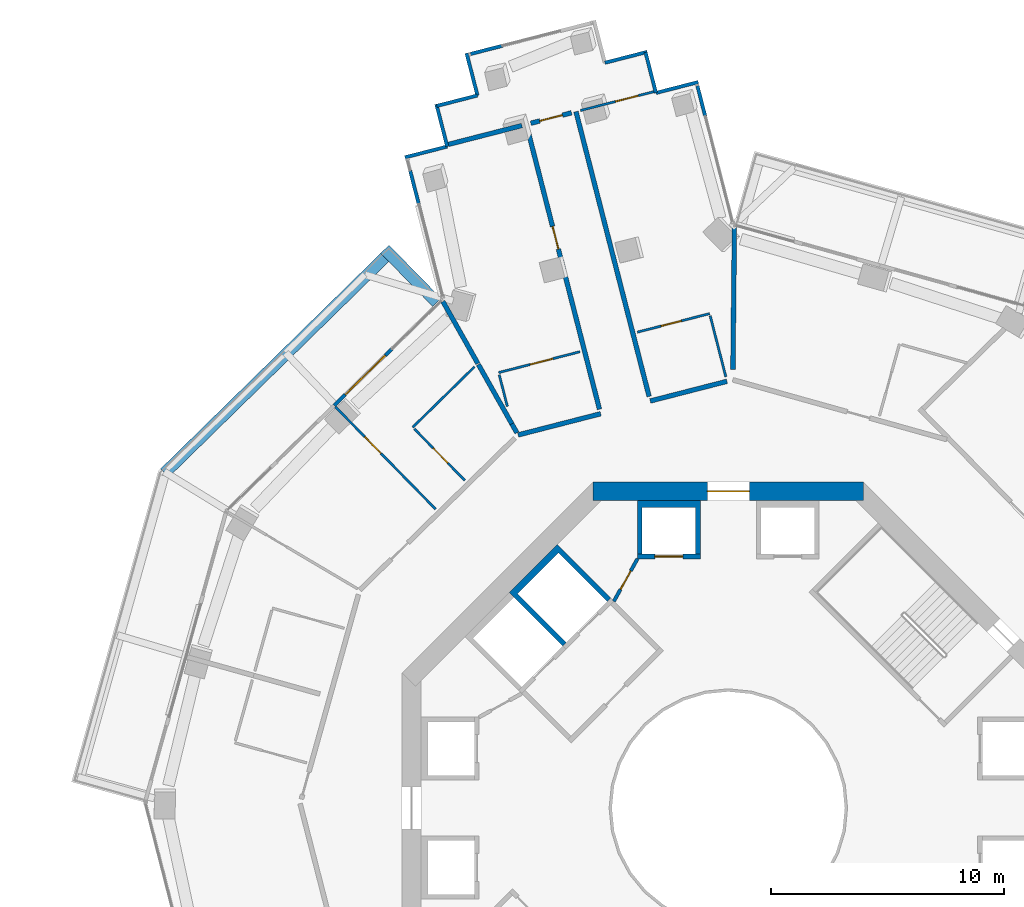
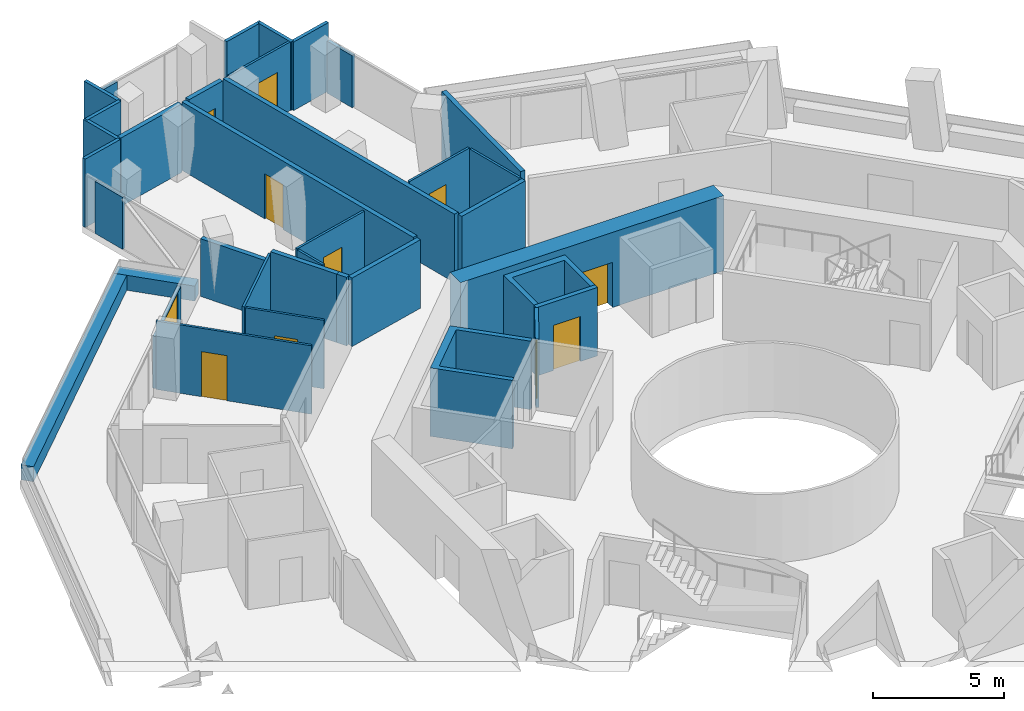
# One storey, part 22 of 26: 36 walls, 11 doors, 11 openings.
"""IFC4 building model written with IfcOpenShell, lengths in metres."""

from ifc_helpers import new_model, si_unit, direction, frame, frame_2d, origin, place, context, subcontext, project, spatial, polyline, rectangle, outline, extrude, material, layer, layer_set, type_object, element, fill, save


model = new_model("IFC4")

# Units and contexts
model_context = context("Model", 3, precision=1e-05, world=origin(), true_north=direction((0.0, 1.0)))
body_context = subcontext(model_context, "Body", "Model", "MODEL_VIEW")
ifc_project = project(units=[si_unit("LENGTHUNIT", "METRE"), si_unit("AREAUNIT", "SQUARE_METRE"), si_unit("VOLUMEUNIT", "CUBIC_METRE"), si_unit("PLANEANGLEUNIT", "RADIAN"), si_unit("MASSUNIT", "GRAM", prefix="KILO")], contexts=[model_context])

# Site, building, storey
site_placement = place(None, origin())
site = spatial("IfcSite", under=ifc_project, at=site_placement, CompositionType="ELEMENT")
building_placement = place(site_placement, origin())
building = spatial("IfcBuilding", under=site, at=building_placement, Name="Verdalira Terraces Hotel", CompositionType="ELEMENT")
storey_placement = place(building_placement, frame((0.0, 0.0, 93.0)))
storey = spatial("IfcBuildingStorey", under=building, at=storey_placement, Name="L21", CompositionType="ELEMENT", Elevation=93.0)

# Walls
ifc_material_1 = material(Name="Concrete C40", Category="concrete")
ifc_layer_1 = layer(ifc_material_1, 0.5)
ifc_layer_set_1 = layer_set([ifc_layer_1], Name="Balcony planter trough with tree")
wall_type_1 = type_object("IfcWallType", Name="Balcony planter trough with tree", PredefinedType="SOLIDWALL", material=ifc_layer_set_1)
wall_1_placement = place(storey_placement, frame((-12.507812, 21.705566, 0.0), z_axis=(0.0, 0.0, 1.0), x_axis=(-0.699665376, 0.714470686, 0.0)))
element("IfcWall", 1, at=wall_1_placement, inside=storey, type_object=wall_type_1, Name="Balcony planter", PredefinedType="SOLIDWALL", context=body_context, shape_type="SweptSolid", body=[
    extrude(rectangle(XDim=3.198975, YDim=0.5, at=frame_2d((1.599609, 0.0))), origin(), (0.0, 0.0, 1.0), 0.699951),
])
wall_2_placement = place(storey_placement, frame((-14.749756, 23.637695, 0.0), z_axis=(0.0, 0.0, 1.0), x_axis=(-0.714471394, -0.699664653, 0.0)))
element("IfcWall", 2, at=wall_2_placement, inside=storey, type_object=wall_type_1, Name="Balcony planter", PredefinedType="SOLIDWALL", context=body_context, shape_type="SweptSolid", body=[
    extrude(rectangle(XDim=13.223877, YDim=0.5, at=frame_2d((6.611816, 0.0))), origin(), (0.0, 0.0, 1.0), 0.699951),
])

# Wall, opening, door
ifc_material_2 = material(Name="Moisture-resistant gypsum board partition")
ifc_layer_2 = layer(ifc_material_2, 0.10009765625)
ifc_layer_set_2 = layer_set([ifc_layer_2], Name="Bathroom partition 100 mm")
wall_type_2 = type_object("IfcWallType", Name="Bathroom partition 100 mm", PredefinedType="PARTITIONING", material=ifc_layer_set_2)
wall_3_placement = place(storey_placement, frame((-16.867676, 17.224609, 0.0), z_axis=(0.0, 0.0, 1.0), x_axis=(0.699684325, -0.71445213, 0.0)))
wall_3 = element("IfcWall", 3, at=wall_3_placement, inside=storey, type_object=wall_type_2, Name="Bathroom partition", PredefinedType="PARTITIONING", context=body_context, shape_type="SweptSolid", body=[
    extrude(rectangle(XDim=6.149902, YDim=0.100098, at=frame_2d((3.074951, 0.0))), origin(), (0.0, 0.0, 1.0), 3.189941),
])
opening_1_placement = place(wall_3_placement, frame((1.800049, 0.0, 0.0)))
opening_1 = element("IfcOpeningElement", 4, at=opening_1_placement, cuts=wall_3, Name="Opening L21-107", PredefinedType="OPENING", context=body_context, shape_type="SweptSolid", body=[
    extrude(rectangle(XDim=1.0, YDim=2.100098, at=frame_2d((0.5, 1.050049))), frame((0.0, 0.060059, 0.0), z_axis=(0.0, -1.0, 0.0), x_axis=(1.0, 0.0, 0.0)), (0.0, 0.0, 1.0), 0.120117),
])
ifc_material_3 = material(Name="Timber door", Category="wood")
door_type_1 = type_object("IfcDoorType", Name="Suite internal door 1000 x 2100", OperationType="NOTDEFINED", PredefinedType="DOOR", material=ifc_material_3)
door_1_placement = place(opening_1_placement, origin())
door_1 = element("IfcDoor", 5, at=door_1_placement, inside=storey, type_object=door_type_1, Name="Suite internal door 2103", OperationType="SINGLE_SWING_LEFT", OverallHeight=2.10009765625, OverallWidth=1.0, PredefinedType="DOOR", context=body_context, shape_type="SweptSolid", body=[
    extrude(rectangle(XDim=1.0, YDim=2.100098, at=frame_2d((0.5, 1.050049))), frame((0.0, 0.024902, 0.0), z_axis=(0.0, -1.0, 0.0), x_axis=(1.0, 0.0, 0.0)), (0.0, 0.0, 1.0), 0.050049),
])
fill(opening_1, door_1)

wall_4_placement = place(storey_placement, frame((-13.477539, 16.275879, 0.0), z_axis=(0.0, 0.0, 1.0), x_axis=(0.699664998, -0.714471056, 0.0)))
wall_4 = element("IfcWall", 6, at=wall_4_placement, inside=storey, type_object=wall_type_2, Name="Bathroom partition", PredefinedType="PARTITIONING", context=body_context, shape_type="SweptSolid", body=[
    extrude(rectangle(XDim=3.100098, YDim=0.100098, at=frame_2d((1.550049, 0.0))), origin(), (0.0, 0.0, 1.0), 3.189941),
])
opening_2_placement = place(wall_4_placement, frame((1.149902, 0.0, 0.0)))
opening_2 = element("IfcOpeningElement", 7, at=opening_2_placement, cuts=wall_4, Name="Opening L21-109", PredefinedType="OPENING", context=body_context, shape_type="SweptSolid", body=[
    extrude(rectangle(XDim=0.899902, YDim=2.100098, at=frame_2d((0.449951, 1.050049))), frame((0.0, 0.060059, 0.0), z_axis=(0.0, -1.0, 0.0), x_axis=(1.0, 0.0, 0.0)), (0.0, 0.0, 1.0), 0.120117),
])
ifc_material_4 = material(Name="Timber door", Category="wood")
door_type_2 = type_object("IfcDoorType", Name="Bathroom door 900 x 2100", OperationType="NOTDEFINED", PredefinedType="DOOR", material=ifc_material_4)
door_2_placement = place(opening_2_placement, origin())
door_2 = element("IfcDoor", 8, at=door_2_placement, inside=storey, type_object=door_type_2, Name="Bathroom door 2103", OperationType="SINGLE_SWING_LEFT", OverallHeight=2.10009765625, OverallWidth=0.89990234375, PredefinedType="DOOR", context=body_context, shape_type="SweptSolid", body=[
    extrude(rectangle(XDim=0.899902, YDim=2.100098, at=frame_2d((0.449951, 1.050049))), frame((0.0, 0.024902, 0.0), z_axis=(0.0, -1.0, 0.0), x_axis=(1.0, 0.0, 0.0)), (0.0, 0.0, 1.0), 0.050049),
])
fill(opening_2, door_2)

# Walls
wall_5_placement = place(storey_placement, frame((-10.900879, 18.938721, 0.0), z_axis=(0.0, 0.0, 1.0), x_axis=(-0.714515918, -0.699619184, 0.0)))
element("IfcWall", 9, at=wall_5_placement, inside=storey, type_object=wall_type_2, Name="Bathroom partition", PredefinedType="PARTITIONING", context=body_context, shape_type="SweptSolid", body=[
    extrude(rectangle(XDim=3.703857, YDim=0.100098, at=frame_2d((1.852051, 0.0))), origin(), (0.0, 0.0, 1.0), 3.189941),
])
wall_6_placement = place(storey_placement, frame((-9.486084, 17.242432, 0.0), z_axis=(0.0, 0.0, 1.0), x_axis=(-0.248610566, 0.968603524, 0.0)))
element("IfcWall", 10, at=wall_6_placement, inside=storey, type_object=wall_type_2, Name="Bathroom partition", PredefinedType="PARTITIONING", context=body_context, shape_type="SweptSolid", body=[
    extrude(rectangle(XDim=1.398438, YDim=0.100098, at=frame_2d((0.699219, 0.0))), origin(), (0.0, 0.0, 1.0), 3.189941),
])

# Wall, opening, door
wall_7_placement = place(storey_placement, frame((-6.371826, 19.589111, 0.0), z_axis=(0.0, 0.0, 1.0), x_axis=(-0.968583069, -0.248690247, 0.0)))
wall_7 = element("IfcWall", 11, at=wall_7_placement, inside=storey, type_object=wall_type_2, Name="Bathroom partition", PredefinedType="PARTITIONING", context=body_context, shape_type="SweptSolid", body=[
    extrude(rectangle(XDim=3.599854, YDim=0.100098, at=frame_2d((1.799805, 0.0))), origin(), (0.0, 0.0, 1.0), 3.189941),
])
opening_3_placement = place(wall_7_placement, frame((1.199951, 0.0, 0.0)))
opening_3 = element("IfcOpeningElement", 12, at=opening_3_placement, cuts=wall_7, Name="Opening L21-105", PredefinedType="OPENING", context=body_context, shape_type="SweptSolid", body=[
    extrude(rectangle(XDim=1.0, YDim=2.100098, at=frame_2d((0.5, 1.050049))), frame((0.0, 0.060059, 0.0), z_axis=(0.0, -1.0, 0.0), x_axis=(1.0, 0.0, 0.0)), (0.0, 0.0, 1.0), 0.120117),
])
ifc_material_5 = material(Name="Timber door", Category="wood")
door_type_3 = type_object("IfcDoorType", Name="Bathroom door 1000 x 2100", OperationType="NOTDEFINED", PredefinedType="DOOR", material=ifc_material_5)
door_3_placement = place(opening_3_placement, origin())
door_3 = element("IfcDoor", 13, at=door_3_placement, inside=storey, type_object=door_type_3, Name="Bathroom door 2102", OperationType="SINGLE_SWING_RIGHT", OverallHeight=2.10009765625, OverallWidth=1.0, PredefinedType="DOOR", context=body_context, shape_type="SweptSolid", body=[
    extrude(rectangle(XDim=1.0, YDim=2.100098, at=frame_2d((0.5, 1.050049))), frame((0.0, 0.024902, 0.0), z_axis=(0.0, -1.0, 0.0), x_axis=(1.0, 0.0, 0.0)), (0.0, 0.0, 1.0), 0.050049),
])
fill(opening_3, door_3)

wall_8_placement = place(storey_placement, frame((-3.196533, 30.753662, 0.0), z_axis=(0.0, 0.0, 1.0), x_axis=(-0.968577204, -0.248713089, 0.0)))
wall_8 = element("IfcWall", 14, at=wall_8_placement, inside=storey, type_object=wall_type_2, Name="Bathroom partition", PredefinedType="PARTITIONING", context=body_context, shape_type="SweptSolid", body=[
    extrude(rectangle(XDim=3.252197, YDim=0.100098, at=frame_2d((1.625977, 0.0))), origin(), (0.0, 0.0, 1.0), 3.189941),
])
opening_4_placement = place(wall_8_placement, frame((0.699951, 0.0, 0.0)))
opening_4 = element("IfcOpeningElement", 15, at=opening_4_placement, cuts=wall_8, Name="Opening L21-102", PredefinedType="OPENING", context=body_context, shape_type="SweptSolid", body=[
    extrude(rectangle(XDim=1.0, YDim=2.100098, at=frame_2d((0.5, 1.050049))), frame((0.0, 0.060059, 0.0), z_axis=(0.0, -1.0, 0.0), x_axis=(1.0, 0.0, 0.0)), (0.0, 0.0, 1.0), 0.120117),
])
door_4_placement = place(opening_4_placement, origin())
door_4 = element("IfcDoor", 16, at=door_4_placement, inside=storey, type_object=door_type_1, Name="Suite internal door 2101", OperationType="SINGLE_SWING_LEFT", OverallHeight=2.10009765625, OverallWidth=1.0, PredefinedType="DOOR", context=body_context, shape_type="SweptSolid", body=[
    extrude(rectangle(XDim=1.0, YDim=2.100098, at=frame_2d((0.5, 1.050049))), frame((0.0, 0.024902, 0.0), z_axis=(0.0, -1.0, 0.0), x_axis=(1.0, 0.0, 0.0)), (0.0, 0.0, 1.0), 0.050049),
])
fill(opening_4, door_4)

wall_9_placement = place(storey_placement, frame((-0.803711, 21.225342, 0.0), z_axis=(0.0, 0.0, 1.0), x_axis=(-0.968579095, -0.248705722, 0.0)))
wall_9 = element("IfcWall", 17, at=wall_9_placement, inside=storey, type_object=wall_type_2, Name="Bathroom partition", PredefinedType="PARTITIONING", context=body_context, shape_type="SweptSolid", body=[
    extrude(rectangle(XDim=3.200195, YDim=0.100098, at=frame_2d((1.600098, 0.0))), origin(), (0.0, 0.0, 1.0), 3.189941),
])
opening_5_placement = place(wall_9_placement, frame((1.25, 0.0, 0.0)))
opening_5 = element("IfcOpeningElement", 18, at=opening_5_placement, cuts=wall_9, Name="Opening L21-103", PredefinedType="OPENING", context=body_context, shape_type="SweptSolid", body=[
    extrude(rectangle(XDim=0.899902, YDim=2.100098, at=frame_2d((0.449951, 1.050049))), frame((0.0, 0.060059, 0.0), z_axis=(0.0, -1.0, 0.0), x_axis=(1.0, 0.0, 0.0)), (0.0, 0.0, 1.0), 0.120117),
])
door_5_placement = place(opening_5_placement, origin())
door_5 = element("IfcDoor", 19, at=door_5_placement, inside=storey, type_object=door_type_2, Name="Bathroom door 2101", OperationType="SINGLE_SWING_LEFT", OverallHeight=2.10009765625, OverallWidth=0.89990234375, PredefinedType="DOOR", context=body_context, shape_type="SweptSolid", body=[
    extrude(rectangle(XDim=0.899902, YDim=2.100098, at=frame_2d((0.449951, 1.050049))), frame((0.0, 0.024902, 0.0), z_axis=(0.0, -1.0, 0.0), x_axis=(1.0, 0.0, 0.0)), (0.0, 0.0, 1.0), 0.050049),
])
fill(opening_5, door_5)

# Walls
wall_10_placement = place(storey_placement, frame((-0.107422, 18.513184, 0.0), z_axis=(0.0, 0.0, 1.0), x_axis=(-0.24865815, 0.968591309, 0.0)))
element("IfcWall", 20, at=wall_10_placement, inside=storey, type_object=wall_type_2, Name="Bathroom partition", PredefinedType="PARTITIONING", context=body_context, shape_type="SweptSolid", body=[
    extrude(rectangle(XDim=2.699951, YDim=0.100098, at=frame_2d((1.350098, 0.0))), origin(), (0.0, 0.0, 1.0), 3.189941),
])
ifc_material_6 = material(Name="Concrete C50", Category="concrete")
ifc_layer_3 = layer(ifc_material_6, 0.199951171875)
ifc_layer_set_3 = layer_set([ifc_layer_3], Name="Core RC wall 200 C50")
wall_type_3 = type_object("IfcWallType", Name="Core RC wall 200 C50", PredefinedType="SOLIDWALL", material=ifc_layer_set_3)
wall_11_placement = place(storey_placement, origin())
element("IfcWall", 21, at=wall_11_placement, inside=storey, type_object=wall_type_3, Name="L21 shaft wall N2", PredefinedType="SOLIDWALL", context=body_context, shape_type="SweptSolid", body=[
    extrude(outline(polyline([(-3.899902, 10.899902), (-3.899902, 13.199951), (-1.199951, 13.199951), (-1.199951, 10.899902), (-1.399902, 10.899902), (-1.399902, 12.899902), (-3.699951, 12.899902), (-3.699951, 10.899902), (-3.899902, 10.899902)])), origin(), (0.0, 0.0, 1.0), 3.189941),
])

# Wall, opening, door
wall_12_placement = place(storey_placement, frame((-1.199951, 10.800049, 0.0), z_axis=(0.0, 0.0, 1.0), x_axis=(-1.0, 0.0, 0.0)))
wall_12 = element("IfcWall", 22, at=wall_12_placement, inside=storey, type_object=wall_type_3, Name="L21 shaft front wall N2", PredefinedType="SOLIDWALL", context=body_context, shape_type="SweptSolid", body=[
    extrude(rectangle(XDim=2.699951, YDim=0.199951, at=frame_2d((1.350098, 0.0))), origin(), (0.0, 0.0, 1.0), 3.189941),
])
opening_6_placement = place(wall_12_placement, frame((0.75, 0.0, 0.0)))
opening_6 = element("IfcOpeningElement", 23, at=opening_6_placement, cuts=wall_12, Name="Opening LD-L21-804", PredefinedType="OPENING", context=body_context, shape_type="SweptSolid", body=[
    extrude(rectangle(XDim=1.199951, YDim=2.100098, at=frame_2d((0.600098, 1.050049))), frame((0.0, 0.109863, 0.0), z_axis=(0.0, -1.0, 0.0), x_axis=(1.0, 0.0, 0.0)), (0.0, 0.0, 1.0), 0.219971),
])
ifc_material_7 = material(Name="Stainless steel", Category="steel")
door_type_4 = type_object("IfcDoorType", Name="Landing door 1200 x 2100", OperationType="NOTDEFINED", PredefinedType="DOOR", material=ifc_material_7)
door_6_placement = place(opening_6_placement, origin())
door_6 = element("IfcDoor", 24, at=door_6_placement, inside=storey, type_object=door_type_4, Name="Lift landing door LR4 L21", OperationType="DOUBLE_DOOR_SLIDING", OverallHeight=2.10009765625, OverallWidth=1.199951171875, PredefinedType="DOOR", context=body_context, shape_type="SweptSolid", body=[
    extrude(rectangle(XDim=1.199951, YDim=2.100098, at=frame_2d((0.600098, 1.050049))), frame((0.0, 0.024902, 0.0), z_axis=(0.0, -1.0, 0.0), x_axis=(1.0, 0.0, 0.0)), (0.0, 0.0, 1.0), 0.050049),
])
fill(opening_6, door_6)

# Wall
wall_13_placement = place(storey_placement, origin())
element("IfcWall", 25, at=wall_13_placement, inside=storey, type_object=wall_type_3, Name="L21 shaft wall F1", PredefinedType="SOLIDWALL", context=body_context, shape_type="SweptSolid", body=[
    extrude(outline(polyline([(-9.404541, 9.263184), (-7.354004, 11.313721), (-5.055908, 9.015625), (-5.197266, 8.874268), (-7.283203, 10.960205), (-9.051025, 9.192383), (-6.965088, 7.106445), (-7.106445, 6.965088), (-9.404541, 9.263184)])), origin(), (0.0, 0.0, 1.0), 3.189941),
])

# Wall, opening, door
ifc_material_8 = material(Name="Gypsum board partition")
ifc_layer_4 = layer(ifc_material_8, 0.14990234375)
ifc_layer_set_4 = layer_set([ifc_layer_4], Name="Core partition 150 mm")
wall_type_4 = type_object("IfcWallType", Name="Core partition 150 mm", PredefinedType="PARTITIONING", material=ifc_layer_set_4)
wall_14_placement = place(storey_placement, frame((-3.899902, 10.699951, 0.0), z_axis=(0.0, 0.0, 1.0), x_axis=(-0.485692555, -0.874129705, 0.0)))
wall_14 = element("IfcWall", 26, at=wall_14_placement, inside=storey, type_object=wall_type_4, Name="Room partition L21", PredefinedType="PARTITIONING", context=body_context, shape_type="SweptSolid", body=[
    extrude(rectangle(XDim=2.088623, YDim=0.149902, at=frame_2d((1.044434, 0.0))), origin(), (0.0, 0.0, 1.0), 3.189941),
])
opening_7_placement = place(wall_14_placement, frame((0.594238, 0.0, 0.0)))
opening_7 = element("IfcOpeningElement", 27, at=opening_7_placement, cuts=wall_14, Name="Opening L21-820", PredefinedType="OPENING", context=body_context, shape_type="SweptSolid", body=[
    extrude(rectangle(XDim=0.899902, YDim=2.100098, at=frame_2d((0.449951, 1.050049))), frame((0.0, 0.084961, 0.0), z_axis=(0.0, -1.0, 0.0), x_axis=(1.0, 0.0, 0.0)), (0.0, 0.0, 1.0), 0.169922),
])
ifc_material_9 = material(Name="Steel fire door", Category="steel")
door_type_5 = type_object("IfcDoorType", Name="Core room door 900 x 2100", OperationType="NOTDEFINED", PredefinedType="DOOR", material=ifc_material_9)
door_7_placement = place(opening_7_placement, origin())
door_7 = element("IfcDoor", 28, at=door_7_placement, inside=storey, type_object=door_type_5, Name="Door L21 room2", OperationType="SINGLE_SWING_LEFT", OverallHeight=2.10009765625, OverallWidth=0.89990234375, PredefinedType="DOOR", context=body_context, shape_type="SweptSolid", body=[
    extrude(rectangle(XDim=0.899902, YDim=2.100098, at=frame_2d((0.449951, 1.050049))), frame((0.0, 0.024902, 0.0), z_axis=(0.0, -1.0, 0.0), x_axis=(1.0, 0.0, 0.0)), (0.0, 0.0, 1.0), 0.050049),
])
fill(opening_7, door_7)

ifc_material_10 = material(Name="Concrete C70", Category="concrete")
ifc_layer_5 = layer(ifc_material_10, 0.800048828125)
ifc_layer_set_5 = layer_set([ifc_layer_5], Name="Core wall 800 C70")
wall_type_5 = type_object("IfcWallType", Name="Core wall 800 C70", PredefinedType="SHEAR", material=ifc_layer_set_5)
wall_15_placement = place(storey_placement, frame((5.799072, 13.600098, 0.0), z_axis=(0.0, 0.0, 1.0), x_axis=(-1.0, 0.0, 0.0)))
wall_15 = element("IfcWall", 29, at=wall_15_placement, inside=storey, type_object=wall_type_5, Name="Core wall CW-L21-3", PredefinedType="SHEAR", context=body_context, shape_type="SweptSolid", body=[
    extrude(rectangle(XDim=11.598145, YDim=0.800049, at=frame_2d((5.799072, 0.0))), origin(), (0.0, 0.0, 1.0), 3.5),
])
opening_8_placement = place(wall_15_placement, frame((4.898926, 0.0, 0.0)))
opening_8 = element("IfcOpeningElement", 30, at=opening_8_placement, cuts=wall_15, Name="Opening L21-813", PredefinedType="OPENING", context=body_context, shape_type="SweptSolid", body=[
    extrude(rectangle(XDim=1.800049, YDim=2.100098, at=frame_2d((0.899902, 1.050049))), frame((0.0, 0.409912, 0.0), z_axis=(0.0, -1.0, 0.0), x_axis=(1.0, 0.0, 0.0)), (0.0, 0.0, 1.0), 0.820068),
])
ifc_material_11 = material(Name="Steel fire door", Category="steel")
door_type_6 = type_object("IfcDoorType", Name="Core entry door pair 1800 x 2100", OperationType="NOTDEFINED", PredefinedType="DOOR", material=ifc_material_11)
door_8_placement = place(opening_8_placement, origin())
door_8 = element("IfcDoor", 31, at=door_8_placement, inside=storey, type_object=door_type_6, Name="Core entry door L21 2", OperationType="DOUBLE_DOOR_SINGLE_SWING", OverallHeight=2.10009765625, OverallWidth=1.800048828125, PredefinedType="DOOR", context=body_context, shape_type="SweptSolid", body=[
    extrude(rectangle(XDim=1.800049, YDim=2.100098, at=frame_2d((0.899902, 1.050049))), frame((0.0, 0.024902, 0.0), z_axis=(0.0, -1.0, 0.0), x_axis=(1.0, 0.0, 0.0)), (0.0, 0.0, 1.0), 0.050049),
])
fill(opening_8, door_8)

# Walls
ifc_material_12 = material(Name="Fire-rated gypsum board wall")
ifc_layer_6 = layer(ifc_material_12, 0.199951171875)
ifc_layer_set_6 = layer_set([ifc_layer_6], Name="Demising wall 200 mm")
wall_type_6 = type_object("IfcWallType", Name="Demising wall 200 mm", PredefinedType="SOLIDWALL", material=ifc_layer_set_6)
wall_16_placement = place(storey_placement, frame((-8.862793, 29.298584, 0.0), z_axis=(0.0, 0.0, 1.0), x_axis=(-0.968595286, -0.248642659, 0.0)))
element("IfcWall", 32, at=wall_16_placement, inside=storey, type_object=wall_type_6, Name="Demising wall", PredefinedType="SOLIDWALL", context=body_context, shape_type="SweptSolid", body=[
    extrude(rectangle(XDim=3.251953, YDim=0.199951, at=frame_2d((1.625977, 0.0))), origin(), (0.0, 0.0, 1.0), 3.189941),
])
wall_17_placement = place(storey_placement, frame((-9.293945, 16.493896, 0.0), z_axis=(0.0, 0.0, 1.0), x_axis=(-0.490843734, 0.871247628, 0.0)))
element("IfcWall", 33, at=wall_17_placement, inside=storey, type_object=wall_type_6, Name="Demising wall", PredefinedType="SOLIDWALL", context=body_context, shape_type="SweptSolid", body=[
    extrude(rectangle(XDim=2.924561, YDim=0.199951, at=frame_2d((1.462402, 0.0))), origin(), (0.0, 0.0, 1.0), 3.189941),
])
wall_18_placement = place(storey_placement, frame((-9.075928, 16.107422, 0.0), z_axis=(0.0, 0.0, 1.0), x_axis=(-0.491331889, 0.870972431, 0.0)))
element("IfcWall", 34, at=wall_18_placement, inside=storey, type_object=wall_type_6, Name="Demising wall", PredefinedType="SOLIDWALL", context=body_context, shape_type="SweptSolid", body=[
    extrude(rectangle(XDim=0.443848, YDim=0.199951, at=frame_2d((0.221924, 0.0))), origin(), (0.0, 0.0, 1.0), 3.189941),
])
wall_19_placement = place(storey_placement, frame((0.261475, 24.962646, 0.0), z_axis=(0.0, 0.0, 1.0), x_axis=(-0.010471255, -0.999945175, 0.0)))
element("IfcWall", 35, at=wall_19_placement, inside=storey, type_object=wall_type_6, Name="Demising wall", PredefinedType="SOLIDWALL", context=body_context, shape_type="SweptSolid", body=[
    extrude(rectangle(XDim=6.131836, YDim=0.199951, at=frame_2d((3.065918, 0.0))), origin(), (0.0, 0.0, 1.0), 3.189941),
])
ifc_material_13 = material(Name="Fire-rated gypsum board wall")
ifc_layer_7 = layer(ifc_material_13, 0.199951171875)
ifc_layer_set_7 = layer_set([ifc_layer_7], Name="Demising wall 200 mm to beam soffit")
wall_type_7 = type_object("IfcWallType", Name="Demising wall 200 mm to beam soffit", PredefinedType="SOLIDWALL", material=ifc_layer_set_7)
wall_20_placement = place(storey_placement, frame((-10.752197, 19.081787, 0.0), z_axis=(0.0, 0.0, 1.0), x_axis=(-0.490847997, 0.871245226, 0.0)))
element("IfcWall", 36, at=wall_20_placement, inside=storey, type_object=wall_type_7, Name="Demising wall", PredefinedType="SOLIDWALL", context=body_context, shape_type="SweptSolid", body=[
    extrude(rectangle(XDim=3.061523, YDim=0.199951, at=frame_2d((1.530762, 0.0))), origin(), (0.0, 0.0, 1.0), 2.689941),
])

# Wall, opening, door
ifc_material_14 = material(Name="Fire-rated gypsum board wall")
ifc_layer_8 = layer(ifc_material_14, 0.199951171875)
ifc_layer_set_8 = layer_set([ifc_layer_8], Name="Guest corridor wall 200 mm")
wall_type_8 = type_object("IfcWallType", Name="Guest corridor wall 200 mm", PredefinedType="SOLIDWALL", material=ifc_layer_set_8)
wall_21_placement = place(storey_placement, frame((-8.479248, 29.397217, 0.0), z_axis=(0.0, 0.0, 1.0), x_axis=(0.96860289, 0.248613037, 0.0)))
wall_21 = element("IfcWall", 37, at=wall_21_placement, inside=storey, type_object=wall_type_8, Name="Guest corridor wall", PredefinedType="SOLIDWALL", context=body_context, shape_type="SweptSolid", body=[
    extrude(rectangle(XDim=1.803955, YDim=0.199951, at=frame_2d((0.901855, 0.0))), origin(), (0.0, 0.0, 1.0), 3.189941),
])
opening_9_placement = place(wall_21_placement, frame((0.399902, 0.0, 0.0)))
opening_9 = element("IfcOpeningElement", 38, at=opening_9_placement, cuts=wall_21, Name="Opening L21-101", PredefinedType="OPENING", context=body_context, shape_type="SweptSolid", body=[
    extrude(rectangle(XDim=1.0, YDim=2.100098, at=frame_2d((0.5, 1.050049))), frame((0.0, 0.109863, 0.0), z_axis=(0.0, -1.0, 0.0), x_axis=(1.0, 0.0, 0.0)), (0.0, 0.0, 1.0), 0.219971),
])
ifc_material_15 = material(Name="Timber fire door", Category="wood")
door_type_7 = type_object("IfcDoorType", Name="Guest entry door 1000 x 2100", OperationType="NOTDEFINED", PredefinedType="DOOR", material=ifc_material_15)
door_9_placement = place(opening_9_placement, origin())
door_9 = element("IfcDoor", 39, at=door_9_placement, inside=storey, type_object=door_type_7, Name="Guest entry door 2101", OperationType="SINGLE_SWING_LEFT", OverallHeight=2.10009765625, OverallWidth=1.0, PredefinedType="DOOR", context=body_context, shape_type="SweptSolid", body=[
    extrude(rectangle(XDim=1.0, YDim=2.100098, at=frame_2d((0.5, 1.050049))), frame((0.0, 0.024902, 0.0), z_axis=(0.0, -1.0, 0.0), x_axis=(1.0, 0.0, 0.0)), (0.0, 0.0, 1.0), 0.050049),
])
fill(opening_9, door_9)

# Wall
wall_22_placement = place(storey_placement, frame((-5.481689, 16.927002, 0.0), z_axis=(0.0, 0.0, 1.0), x_axis=(-0.968576117, -0.24871732, 0.0)))
element("IfcWall", 40, at=wall_22_placement, inside=storey, type_object=wall_type_8, Name="Guest corridor wall", PredefinedType="SOLIDWALL", context=body_context, shape_type="SweptSolid", body=[
    extrude(rectangle(XDim=3.658447, YDim=0.199951, at=frame_2d((1.829102, 0.0))), origin(), (0.0, 0.0, 1.0), 3.189941),
])

# Wall, opening, door
wall_23_placement = place(storey_placement, frame((-5.531494, 17.120605, 0.0), z_axis=(0.0, 0.0, 1.0), x_axis=(-0.24868755, 0.968583761, 0.0)))
wall_23 = element("IfcWall", 41, at=wall_23_placement, inside=storey, type_object=wall_type_8, Name="Guest corridor wall", PredefinedType="SOLIDWALL", context=body_context, shape_type="SweptSolid", body=[
    extrude(rectangle(XDim=12.623779, YDim=0.199951, at=frame_2d((6.312012, 0.0))), origin(), (0.0, 0.0, 1.0), 3.189941),
])
opening_10_placement = place(wall_23_placement, frame((7.100098, 0.0, 0.0)))
opening_10 = element("IfcOpeningElement", 42, at=opening_10_placement, cuts=wall_23, Name="Opening L21-104", PredefinedType="OPENING", context=body_context, shape_type="SweptSolid", body=[
    extrude(rectangle(XDim=1.0, YDim=2.100098, at=frame_2d((0.5, 1.050049))), frame((0.0, 0.109863, 0.0), z_axis=(0.0, -1.0, 0.0), x_axis=(1.0, 0.0, 0.0)), (0.0, 0.0, 1.0), 0.219971),
])
door_10_placement = place(opening_10_placement, origin())
door_10 = element("IfcDoor", 43, at=door_10_placement, inside=storey, type_object=door_type_7, Name="Guest entry door 2102", OperationType="SINGLE_SWING_RIGHT", OverallHeight=2.10009765625, OverallWidth=1.0, PredefinedType="DOOR", context=body_context, shape_type="SweptSolid", body=[
    extrude(rectangle(XDim=1.0, YDim=2.100098, at=frame_2d((0.5, 1.050049))), frame((0.0, 0.024902, 0.0), z_axis=(0.0, -1.0, 0.0), x_axis=(1.0, 0.0, 0.0)), (0.0, 0.0, 1.0), 0.050049),
])
fill(opening_10, door_10)

# Walls
wall_24_placement = place(storey_placement, frame((-3.400635, 17.667725, 0.0), z_axis=(0.0, 0.0, 1.0), x_axis=(-0.24868755, 0.968583761, 0.0)))
element("IfcWall", 44, at=wall_24_placement, inside=storey, type_object=wall_type_8, Name="Guest corridor wall", PredefinedType="SOLIDWALL", context=body_context, shape_type="SweptSolid", body=[
    extrude(rectangle(XDim=12.623779, YDim=0.199951, at=frame_2d((6.312012, 0.0))), origin(), (0.0, 0.0, 1.0), 3.189941),
])
wall_25_placement = place(storey_placement, frame((-0.057617, 18.31958, 0.0), z_axis=(0.0, 0.0, 1.0), x_axis=(-0.968589847, -0.248663847, 0.0)))
element("IfcWall", 45, at=wall_25_placement, inside=storey, type_object=wall_type_8, Name="Guest corridor wall", PredefinedType="SOLIDWALL", context=body_context, shape_type="SweptSolid", body=[
    extrude(rectangle(XDim=3.399902, YDim=0.199951, at=frame_2d((1.699951, 0.0))), origin(), (0.0, 0.0, 1.0), 3.189941),
])
ifc_material_16 = material(Name="Terracotta cladding", Category="masonry")
ifc_layer_9 = layer(ifc_material_16, 0.14990234375)
ifc_layer_set_9 = layer_set([ifc_layer_9], Name="Terracotta clad wall 150")
wall_type_9 = type_object("IfcWallType", Name="Terracotta clad wall 150", PredefinedType="SOLIDWALL", material=ifc_layer_set_9)
wall_26_placement = place(storey_placement, frame((-1.291016, 31.165283, 0.0), z_axis=(0.0, 0.0, 1.0), x_axis=(-0.968583492, -0.248688597, 0.0)))
element("IfcWall", 46, at=wall_26_placement, inside=storey, type_object=wall_type_9, Name="Terracotta cladding wall", PredefinedType="SOLIDWALL", context=body_context, shape_type="SweptSolid", body=[
    extrude(rectangle(XDim=1.875, YDim=0.149902, at=frame_2d((0.9375, 0.0))), origin(), (0.0, 0.0, 1.0), 3.189941),
])
wall_27_placement = place(storey_placement, frame((-3.107178, 30.698975, 0.0), z_axis=(0.0, 0.0, 1.0), x_axis=(-0.248593961, 0.968607786, 0.0)))
element("IfcWall", 47, at=wall_27_placement, inside=storey, type_object=wall_type_9, Name="Terracotta cladding wall", PredefinedType="SOLIDWALL", context=body_context, shape_type="SweptSolid", body=[
    extrude(rectangle(XDim=1.800049, YDim=0.149902, at=frame_2d((0.899902, 0.0))), origin(), (0.0, 0.0, 1.0), 3.189941),
])
wall_28_placement = place(storey_placement, frame((-3.482178, 32.461182, 0.0), z_axis=(0.0, 0.0, 1.0), x_axis=(-0.968583492, -0.248688597, 0.0)))
element("IfcWall", 48, at=wall_28_placement, inside=storey, type_object=wall_type_9, Name="Terracotta cladding wall", PredefinedType="SOLIDWALL", context=body_context, shape_type="SweptSolid", body=[
    extrude(rectangle(XDim=1.875, YDim=0.149902, at=frame_2d((0.9375, 0.0))), origin(), (0.0, 0.0, 1.0), 3.189941),
])
wall_29_placement = place(storey_placement, frame((-11.237061, 32.405762, 0.0), z_axis=(0.0, 0.0, 1.0), x_axis=(0.248719963, -0.968575438, 0.0)))
element("IfcWall", 49, at=wall_29_placement, inside=storey, type_object=wall_type_9, Name="Terracotta cladding wall", PredefinedType="SOLIDWALL", context=body_context, shape_type="SweptSolid", body=[
    extrude(rectangle(XDim=1.874756, YDim=0.149902, at=frame_2d((0.9375, 0.0))), origin(), (0.0, 0.0, 1.0), 3.189941),
])
wall_30_placement = place(storey_placement, frame((-10.770752, 30.589844, 0.0), z_axis=(0.0, 0.0, 1.0), x_axis=(-0.968566731, -0.24875387, 0.0)))
element("IfcWall", 50, at=wall_30_placement, inside=storey, type_object=wall_type_9, Name="Terracotta cladding wall", PredefinedType="SOLIDWALL", context=body_context, shape_type="SweptSolid", body=[
    extrude(rectangle(XDim=1.800049, YDim=0.149902, at=frame_2d((0.899902, 0.0))), origin(), (0.0, 0.0, 1.0), 3.189941),
])
wall_31_placement = place(storey_placement, frame((-12.532959, 30.214844, 0.0), z_axis=(0.0, 0.0, 1.0), x_axis=(0.248688597, -0.968583492, 0.0)))
element("IfcWall", 51, at=wall_31_placement, inside=storey, type_object=wall_type_9, Name="Terracotta cladding wall", PredefinedType="SOLIDWALL", context=body_context, shape_type="SweptSolid", body=[
    extrude(rectangle(XDim=1.875, YDim=0.149902, at=frame_2d((0.9375, 0.0))), origin(), (0.0, 0.0, 1.0), 3.189941),
])
wall_32_placement = place(storey_placement, frame((-12.06665, 28.398682, 0.0), z_axis=(0.0, 0.0, 1.0), x_axis=(-0.968575438, -0.248719963, 0.0)))
element("IfcWall", 52, at=wall_32_placement, inside=storey, type_object=wall_type_9, Name="Terracotta cladding wall", PredefinedType="SOLIDWALL", context=body_context, shape_type="SweptSolid", body=[
    extrude(rectangle(XDim=1.874756, YDim=0.149902, at=frame_2d((0.9375, 0.0))), origin(), (0.0, 0.0, 1.0), 3.189941),
])
ifc_material_17 = material(Name="Terracotta cladding", Category="masonry")
ifc_layer_10 = layer(ifc_material_17, 0.14990234375)
ifc_layer_set_10 = layer_set([ifc_layer_10], Name="Terracotta column pier 150")
wall_type_10 = type_object("IfcWallType", Name="Terracotta column pier 150", PredefinedType="SOLIDWALL", material=ifc_layer_set_10)
wall_33_placement = place(storey_placement, frame((-0.989502, 29.688965, 0.0), z_axis=(0.0, 0.0, 1.0), x_axis=(-0.248612873, 0.968602932, 0.0)))
element("IfcWall", 53, at=wall_33_placement, inside=storey, type_object=wall_type_10, Name="Terracotta column pier", PredefinedType="SOLIDWALL", context=body_context, shape_type="SweptSolid", body=[
    extrude(rectangle(XDim=1.360107, YDim=0.149902, at=frame_2d((0.680176, 0.0))), origin(), (0.0, 0.0, 1.0), 2.425049),
])
wall_34_placement = place(storey_placement, frame((-9.692871, 32.724854, 0.0), z_axis=(0.0, 0.0, 1.0), x_axis=(-0.968606568, -0.248598704, 0.0)))
element("IfcWall", 54, at=wall_34_placement, inside=storey, type_object=wall_type_10, Name="Terracotta column pier", PredefinedType="SOLIDWALL", context=body_context, shape_type="SweptSolid", body=[
    extrude(rectangle(XDim=1.420166, YDim=0.149902, at=frame_2d((0.709961, 0.0))), origin(), (0.0, 0.0, 1.0), 2.425049),
])
wall_35_placement = place(storey_placement, frame((-13.659668, 27.36499, 0.0), z_axis=(0.0, 0.0, 1.0), x_axis=(0.248852246, -0.96854146, 0.0)))
element("IfcWall", 55, at=wall_35_placement, inside=storey, type_object=wall_type_10, Name="Terracotta column pier", PredefinedType="SOLIDWALL", context=body_context, shape_type="SweptSolid", body=[
    extrude(rectangle(XDim=1.490234, YDim=0.149902, at=frame_2d((0.745117, 0.0))), origin(), (0.0, 0.0, 1.0), 2.425049),
])

# Wall, opening, door
ifc_material_18 = material(Name="Terracotta cladding", Category="masonry")
ifc_layer_11 = layer(ifc_material_18, 0.14990234375)
ifc_layer_set_11 = layer_set([ifc_layer_11], Name="Terracotta door pier 150")
wall_type_11 = type_object("IfcWallType", Name="Terracotta door pier 150", PredefinedType="SOLIDWALL", material=ifc_layer_set_11)
wall_36_placement = place(storey_placement, frame((-14.4375, 19.709717, 0.0), z_axis=(0.0, 0.0, 1.0), x_axis=(-0.714445304, -0.699691295, 0.0)))
wall_36 = element("IfcWall", 56, at=wall_36_placement, inside=storey, type_object=wall_type_11, Name="Terracotta door pier", PredefinedType="SOLIDWALL", context=body_context, shape_type="SweptSolid", body=[
    extrude(rectangle(XDim=3.474854, YDim=0.149902, at=frame_2d((1.737305, 0.0))), origin(), (0.0, 0.0, 1.0), 2.425049),
])
opening_11_placement = place(wall_36_placement, frame((0.399902, 0.0, 0.0)))
opening_11 = element("IfcOpeningElement", 57, at=opening_11_placement, cuts=wall_36, Name="Opening L21-B01", PredefinedType="OPENING", context=body_context, shape_type="SweptSolid", body=[
    extrude(rectangle(XDim=2.399902, YDim=2.399902, at=frame_2d((1.199951, 1.199951))), frame((0.0, 0.084961, 0.0), z_axis=(0.0, -1.0, 0.0), x_axis=(1.0, 0.0, 0.0)), (0.0, 0.0, 1.0), 0.169922),
])
ifc_material_19 = material(Name="Clear glass", Category="glass")
door_type_8 = type_object("IfcDoorType", Name="Balcony sliding door 2400x2400", OperationType="NOTDEFINED", PredefinedType="DOOR", material=ifc_material_19)
door_11_placement = place(opening_11_placement, origin())
door_11 = element("IfcDoor", 58, at=door_11_placement, inside=storey, type_object=door_type_8, Name="Balcony sliding door", OperationType="SLIDING_TO_RIGHT", OverallHeight=2.39990234375, OverallWidth=2.39990234375, PredefinedType="DOOR", context=body_context, shape_type="SweptSolid", body=[
    extrude(rectangle(XDim=2.399902, YDim=2.399902, at=frame_2d((1.199951, 1.199951))), frame((0.0, 0.024902, 0.0), z_axis=(0.0, -1.0, 0.0), x_axis=(1.0, 0.0, 0.0)), (0.0, 0.0, 1.0), 0.050049),
])
fill(opening_11, door_11)

save(model, "model.ifc")
